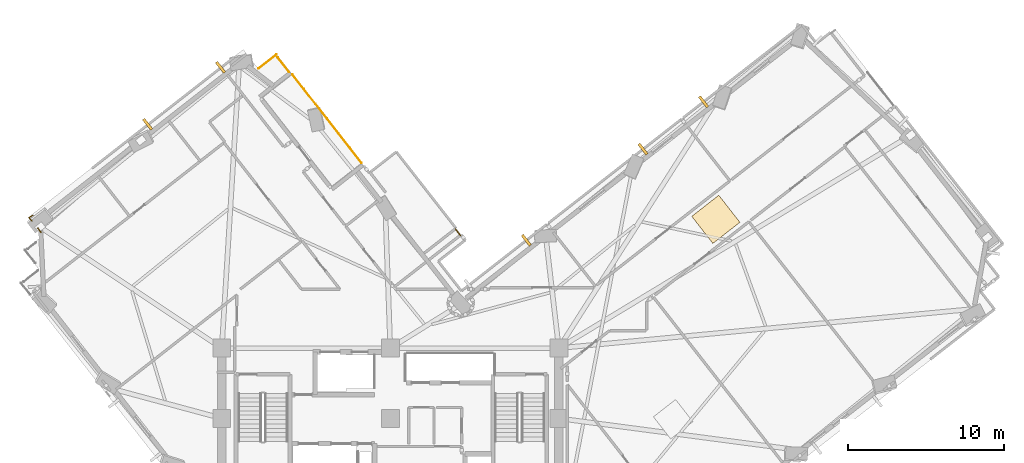
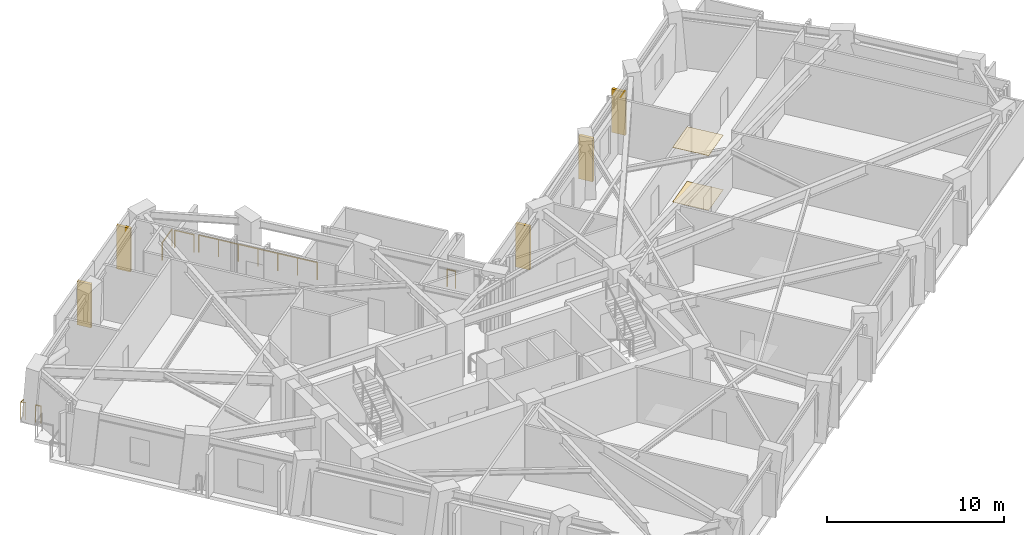
# One storey, part 13 of 14: 6 railings, 5 shading devices, 2 coverings.
"""IFC4 building model written with IfcOpenShell, lengths in metres."""

from ifc_helpers import new_model, si_unit, direction, frame, origin, origin_2d, place, context, subcontext, project, spatial, rectangle, circle, extrude, material, layer, layer_set, type_object, element, save


model = new_model("IFC4")

# Units and contexts
model_context = context("Model", 3, precision=1e-05, world=origin(), true_north=direction((0.0, 1.0)))
body_context = subcontext(model_context, "Body", "Model", "MODEL_VIEW")
ifc_project = project(units=[si_unit("LENGTHUNIT", "METRE"), si_unit("AREAUNIT", "SQUARE_METRE"), si_unit("VOLUMEUNIT", "CUBIC_METRE"), si_unit("PLANEANGLEUNIT", "RADIAN"), si_unit("MASSUNIT", "GRAM", prefix="KILO")], contexts=[model_context])

# Site, building, storey
site_placement = place(None, origin())
site = spatial("IfcSite", under=ifc_project, at=site_placement, CompositionType="ELEMENT")
building_placement = place(site_placement, origin())
building = spatial("IfcBuilding", under=site, at=building_placement, Name="Gaonmaruhae Medical Tower", CompositionType="ELEMENT")
storey_placement = place(building_placement, frame((0.0, 0.0, 185.800048828125)))
storey = spatial("IfcBuildingStorey", under=building, at=storey_placement, Name="L44", CompositionType="ELEMENT", Elevation=185.800048828125)

# Coverings
ifc_material_1 = material(Name="Acoustic mineral ceiling tile", Category="finish")
ifc_layer_1 = layer(ifc_material_1, 0.02490234375)
ifc_layer_set_1 = layer_set([ifc_layer_1], Name="Acoustic mineral ceiling tile")
covering_type_1 = type_object("IfcCoveringType", Name="CLG-01 Antimicrobial Acoustic Mineral Ceiling", PredefinedType="CEILING", material=ifc_layer_set_1)
covering_1_placement = place(storey_placement, frame((45.662353515625, 25.055419921875, 3.7548828125), z_axis=(0.0, 0.0, 1.0), x_axis=(0.788010753607, 0.615661475326, 0.0)))
element("IfcCovering", 1, at=covering_1_placement, inside=storey, type_object=covering_type_1, Name="L44 Clinical Corridor Acoustic Ceiling", PredefinedType="CEILING", context=body_context, shape_type="SweptSolid", body=[
    extrude(rectangle(XDim=2.199951171875, YDim=2.199951171875, at=origin_2d()), origin(), (0.0, 0.0, 1.0), 0.02490234375),
])
ifc_material_2 = material(Name="Seamless clinical vinyl flooring", Category="finish")
ifc_layer_2 = layer(ifc_material_2, 0.014892578125)
ifc_layer_set_2 = layer_set([ifc_layer_2], Name="Seamless clinical vinyl flooring")
covering_type_2 = type_object("IfcCoveringType", Name="FLR-01 Seamless Clinical Antistatic Vinyl Flooring", PredefinedType="FLOORING", material=ifc_layer_set_2)
covering_2_placement = place(storey_placement, frame((45.662353515625, 25.055419921875, 0.00048828125), z_axis=(0.0, 0.0, 1.0), x_axis=(0.788010753607, 0.615661475326, 0.0)))
element("IfcCovering", 2, at=covering_2_placement, inside=storey, type_object=covering_type_2, Name="L44 Clinical Corridor Vinyl Flooring", PredefinedType="FLOORING", context=body_context, shape_type="SweptSolid", body=[
    extrude(rectangle(XDim=2.199951171875, YDim=2.199951171875, at=origin_2d()), origin(), (0.0, 0.0, 1.0), 0.014892578125),
])

# Railings
ifc_material_3 = material(Name="Stainless steel 316L and laminated safety glass", Category="steel")
ifc_layer_3 = layer(ifc_material_3, 0.080078125)
ifc_layer_set_3 = layer_set([ifc_layer_3], Name="Stainless steel 316L and laminated safety glass")
railing_type = type_object("IfcRailingType", Name="GD-120 Outdoor Terrace Safety Glass & Steel Balustrade", PredefinedType="BALUSTRADE", material=ifc_layer_set_3)
railing_1_placement = place(storey_placement, frame((22.961669921875, 28.6708984375, 0.0)))
element("IfcRailing", 3, at=railing_1_placement, inside=storey, type_object=railing_type, Name="L44 Terrace Safety Guard RL-SLB-L44-TER-02", PredefinedType="BALUSTRADE", context=body_context, shape_type="SweptSolid", body=[
    extrude(circle(Radius=0.02392578125, at=origin_2d()), frame((0.0, 0.0, 1.17578125), z_axis=(-0.61567628433, 0.78799918332, 0.0), x_axis=(-0.78799918332, -0.61567628433, 0.0)), (0.0, 0.0, 1.0), 7.199951171875),
    extrude(circle(Radius=0.02099609375, at=origin_2d()), origin(), (0.0, 0.0, 1.0), 1.15185546875),
    extrude(circle(Radius=0.02099609375, at=origin_2d()), frame((-0.73876953125, 0.945556640625, 0.0)), (0.0, 0.0, 1.0), 1.15185546875),
    extrude(circle(Radius=0.02099609375, at=origin_2d()), frame((-1.4775390625, 1.89111328125, 0.0)), (0.0, 0.0, 1.0), 1.15185546875),
    extrude(circle(Radius=0.02099609375, at=origin_2d()), frame((-2.21630859375, 2.8369140625, 0.0)), (0.0, 0.0, 1.0), 1.15185546875),
    extrude(circle(Radius=0.02099609375, at=origin_2d()), frame((-2.955322265625, 3.782470703125, 0.0)), (0.0, 0.0, 1.0), 1.15185546875),
    extrude(circle(Radius=0.02099609375, at=origin_2d()), frame((-3.694091796875, 4.72802734375, 0.0)), (0.0, 0.0, 1.0), 1.15185546875),
    extrude(circle(Radius=0.02099609375, at=origin_2d()), frame((-4.432861328125, 5.673583984375, 0.0)), (0.0, 0.0, 1.0), 1.15185546875),
])
railing_2_placement = place(storey_placement, frame((2.4091796875, 24.2294921875, 0.0)))
element("IfcRailing", 4, at=railing_2_placement, inside=storey, type_object=railing_type, Name="L44 Perimeter Slab Edge Safety Balustrade 13", PredefinedType="BALUSTRADE", context=body_context, shape_type="SweptSolid", body=[
    extrude(circle(Radius=0.02392578125, at=origin_2d()), frame((0.0, 0.0, 1.17578125), z_axis=(-0.615905097085, 0.787820354767, 0.0), x_axis=(-0.787820354767, -0.615905097085, 0.0)), (0.0, 0.0, 1.0), 0.32666015625),
    extrude(circle(Radius=0.02099609375, at=origin_2d()), origin(), (0.0, 0.0, 1.0), 1.15185546875),
    extrude(circle(Radius=0.02099609375, at=origin_2d()), frame((-0.201171875, 0.25732421875, 0.0)), (0.0, 0.0, 1.0), 1.15185546875),
])
railing_3_placement = place(storey_placement, frame((16.359130859375, 34.718017578125, 0.0)))
element("IfcRailing", 5, at=railing_3_placement, inside=storey, type_object=railing_type, Name="L44 Perimeter Slab Edge Safety Balustrade 14", PredefinedType="BALUSTRADE", context=body_context, shape_type="SweptSolid", body=[
    extrude(circle(Radius=0.02392578125, at=origin_2d()), frame((0.0, 0.0, 1.17578125), z_axis=(0.788044657357, 0.615618078041, 0.0), x_axis=(-0.615618078041, 0.788044657357, 0.0)), (0.0, 0.0, 1.0), 1.459716796875),
    extrude(circle(Radius=0.02099609375, at=origin_2d()), origin(), (0.0, 0.0, 1.0), 1.15185546875),
    extrude(circle(Radius=0.02099609375, at=origin_2d()), frame((1.150390625, 0.898681640625, 0.0)), (0.0, 0.0, 1.0), 1.15185546875),
])
railing_4_placement = place(storey_placement, frame((17.587158203125, 35.436279296875, 0.0)))
element("IfcRailing", 6, at=railing_4_placement, inside=storey, type_object=railing_type, Name="L44 Perimeter Slab Edge Safety Balustrade 15", PredefinedType="BALUSTRADE", context=body_context, shape_type="SweptSolid", body=[
    extrude(circle(Radius=0.02392578125, at=origin_2d()), frame((0.0, 0.0, 1.17578125), z_axis=(0.615672144015, -0.788002418197, 0.0), x_axis=(0.788002418197, 0.615672144015, 0.0)), (0.0, 0.0, 1.0), 1.18017578125),
    extrude(circle(Radius=0.02099609375, at=origin_2d()), origin(), (0.0, 0.0, 1.0), 1.15185546875),
    extrude(circle(Radius=0.02099609375, at=origin_2d()), frame((0.7265625, -0.929931640625, 0.0)), (0.0, 0.0, 1.0), 1.15185546875),
])
railing_5_placement = place(storey_placement, frame((28.9755859375, 24.43310546875, 0.0)))
element("IfcRailing", 7, at=railing_5_placement, inside=storey, type_object=railing_type, Name="L44 Perimeter Slab Edge Safety Balustrade 16", PredefinedType="BALUSTRADE", context=body_context, shape_type="SweptSolid", body=[
    extrude(circle(Radius=0.02392578125, at=origin_2d()), frame((0.0, 0.0, 1.17578125), z_axis=(0.615625505504, -0.788038854989, 0.0), x_axis=(0.788038854989, 0.615625505504, 0.0)), (0.0, 0.0, 1.0), 0.51123046875),
    extrude(circle(Radius=0.02099609375, at=origin_2d()), origin(), (0.0, 0.0, 1.0), 1.15185546875),
    extrude(circle(Radius=0.02099609375, at=origin_2d()), frame((0.314697265625, -0.40283203125, 0.0)), (0.0, 0.0, 1.0), 1.15185546875),
])
railing_6_placement = place(storey_placement, frame((1.838623046875, 24.959716796875, 0.0)))
element("IfcRailing", 8, at=railing_6_placement, inside=storey, type_object=railing_type, Name="L44 Perimeter Corner Safety Balustrade 19", PredefinedType="BALUSTRADE", context=body_context, shape_type="SweptSolid", body=[
    extrude(circle(Radius=0.02392578125, at=origin_2d()), frame((0.0, 0.0, 1.17578125), z_axis=(-0.707531852776, 0.706681453915, 0.0), x_axis=(-0.706681453915, -0.707531852776, 0.0)), (0.0, 0.0, 1.0), 0.287109375),
    extrude(circle(Radius=0.02392578125, at=origin_2d()), frame((-0.203125, 0.202880859375, 1.17578125), z_axis=(0.857267944018, 0.514870539222, 0.0), x_axis=(-0.514870539222, 0.857267944018, 0.0)), (0.0, 0.0, 1.0), 0.287353515625),
    extrude(circle(Radius=0.02099609375, at=origin_2d()), origin(), (0.0, 0.0, 1.0), 1.15185546875),
    extrude(circle(Radius=0.02099609375, at=origin_2d()), frame((-0.203125, 0.202880859375, 0.0)), (0.0, 0.0, 1.0), 1.15185546875),
    extrude(circle(Radius=0.02099609375, at=origin_2d()), frame((0.043212890625, 0.350830078125, 0.0)), (0.0, 0.0, 1.0), 1.15185546875),
])

# Shading devices
ifc_material_4 = material(Name="Pigmented coral precast concrete C45/55", Category="concrete")
shading_device_type = type_object("IfcShadingDeviceType", Name="SD-FIN1 Tower Vertical Coral Precast Shading Fin", PredefinedType="USERDEFINED", material=ifc_material_4)
for number, where, z_axis, x_axis, name in (
    (9, (40.992919921875, 29.554443359375, 0.0400390625), (0.0, 0.0, 1.0), (0.788010753607, 0.615661475326, 0.0), "L44 Vertical Coral Precast Shading Fin EN01"),
    (10, (44.875, 32.58740234375, 0.0400390625), (0.0, 0.0, 1.0), (0.788010753607, 0.615661475326, 0.0), "L44 Vertical Coral Precast Shading Fin EN01B"),
):
    element("IfcShadingDevice", number, at=place(storey_placement, frame(where, z_axis=z_axis, x_axis=x_axis)), inside=storey, type_object=shading_device_type, Name=name, ObjectType="FIN", PredefinedType="USERDEFINED", context=body_context, shape_type="SweptSolid", body=[
        extrude(rectangle(XDim=0.179931640625, YDim=0.85009765625, at=origin_2d()), origin(), (0.0, 0.0, 1.0), 2.985107421875),
    ])
for number, where, z_axis, x_axis, name in (
    (11, (33.516357421875, 23.713134765625, 0.132568359375), (0.0, 0.0, 1.0), (0.788010753607, 0.615661475326, 0.0), "L44 Vertical Coral Precast Shading Fin EN03B"),
    (12, (9.246826171875, 31.147216796875, 0.132568359375), (0.0, 0.0, 1.0), (0.788000008167, 0.615675228614, 0.0), "L44 Vertical Coral Precast Shading Fin N01"),
    (13, (13.920166015625, 34.798583984375, 0.132568359375), (0.0, 0.0, 1.0), (0.788000008167, 0.615675228614, 0.0), "L44 Vertical Coral Precast Shading Fin N01B"),
):
    element("IfcShadingDevice", number, at=place(storey_placement, frame(where, z_axis=z_axis, x_axis=x_axis)), inside=storey, type_object=shading_device_type, Name=name, ObjectType="FIN", PredefinedType="USERDEFINED", context=body_context, shape_type="SweptSolid", body=[
        extrude(rectangle(XDim=0.179931640625, YDim=0.85009765625, at=origin_2d()), origin(), (0.0, 0.0, 1.0), 3.0),
    ])

save(model, "model.ifc")
